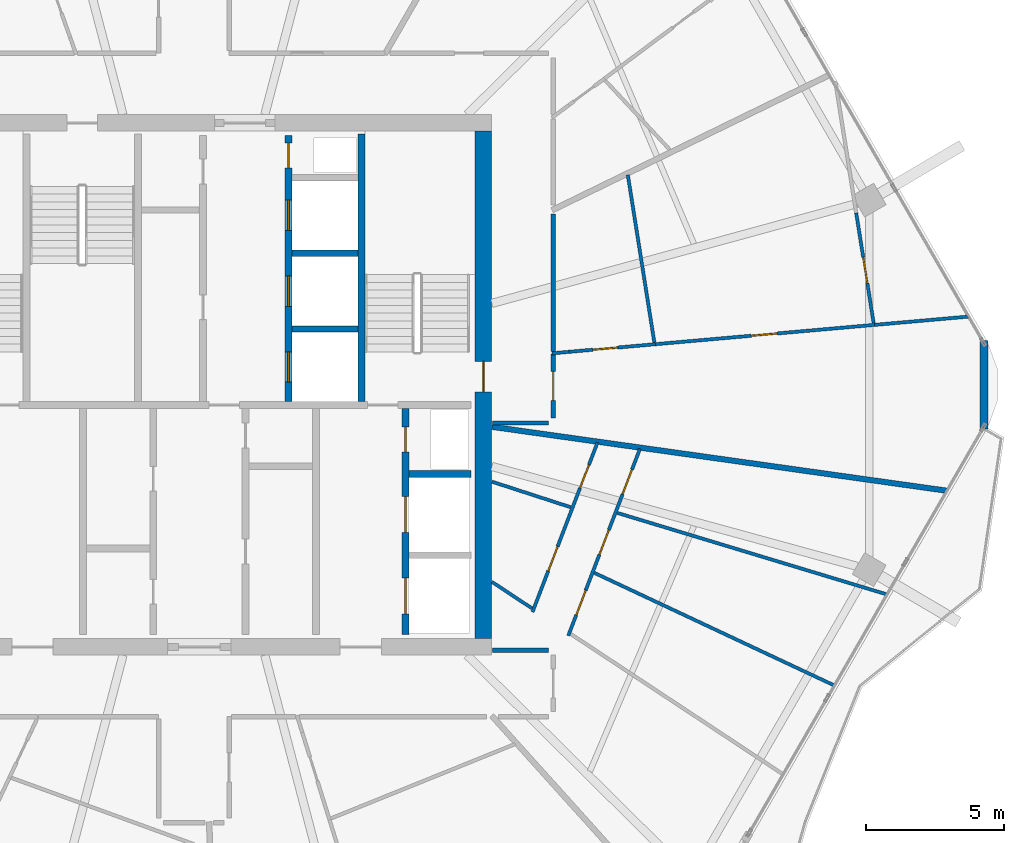
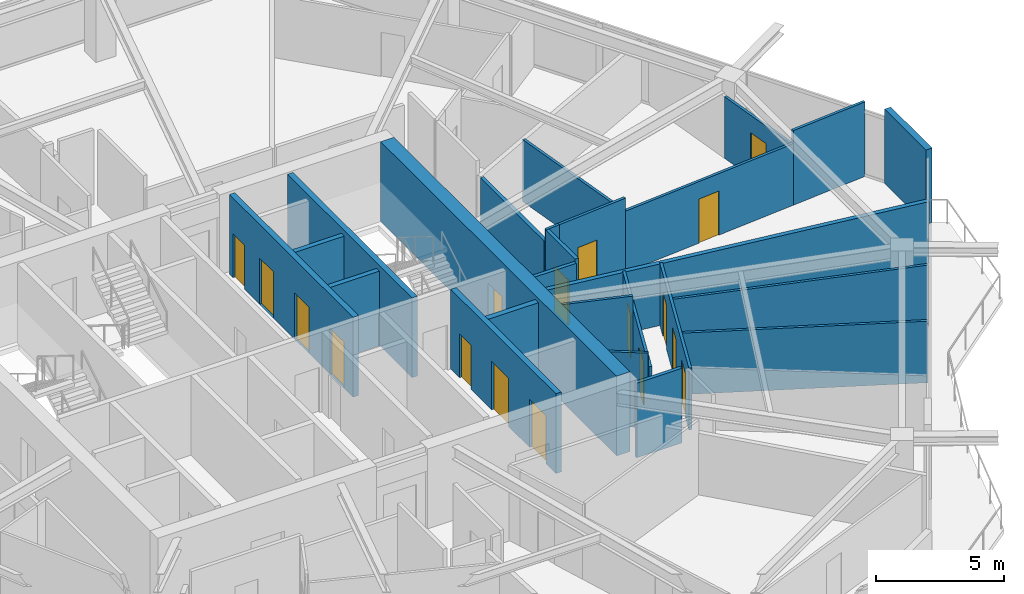
# One storey, part 20 of 25: 25 walls, 17 doors, 17 openings.
"""IFC4 building model written with IfcOpenShell, lengths in metres."""

from ifc_helpers import new_model, si_unit, direction, frame, frame_2d, origin, place, context, subcontext, project, spatial, rectangle, extrude, material, layer, layer_set, type_object, element, fill, save


model = new_model("IFC4")

# Units and contexts
model_context = context("Model", 3, precision=1e-05, world=origin(), true_north=direction((0.0, 1.0)))
body_context = subcontext(model_context, "Body", "Model", "MODEL_VIEW")
ifc_project = project(units=[si_unit("LENGTHUNIT", "METRE"), si_unit("AREAUNIT", "SQUARE_METRE"), si_unit("VOLUMEUNIT", "CUBIC_METRE"), si_unit("PLANEANGLEUNIT", "RADIAN"), si_unit("MASSUNIT", "GRAM", prefix="KILO")], contexts=[model_context])

# Site, building, storey
site_placement = place(None, origin())
site = spatial("IfcSite", under=ifc_project, at=site_placement, CompositionType="ELEMENT")
building_placement = place(site_placement, origin())
building = spatial("IfcBuilding", under=site, at=building_placement, Name="Zuhravey Tower", CompositionType="ELEMENT")
storey_placement = place(building_placement, frame((0.0, 0.0, 235.0)))
storey = spatial("IfcBuildingStorey", under=building, at=storey_placement, Name="L59", CompositionType="ELEMENT", Elevation=235.0)

# Wall, opening, door
ifc_material_1 = material(Name="Concrete C50/60", Category="concrete")
ifc_layer_1 = layer(ifc_material_1, 0.60009765625)
ifc_layer_set_1 = layer_set([ifc_layer_1], Name="Concrete C50/60")
wall_type_1 = type_object("IfcWallType", Name="Core Shear Wall 600", PredefinedType="SHEAR", material=ifc_layer_set_1)
wall_1_placement = place(storey_placement, frame((46.5, 22.800048828125, 0.0), z_axis=(0.0, 0.0, 1.0), x_axis=(0.0, 1.0, 0.0)))
wall_1 = element("IfcWall", 1, at=wall_1_placement, inside=storey, type_object=wall_type_1, Name="L59 East Core Shear Wall CW60", PredefinedType="SHEAR", context=body_context, shape_type="SweptSolid", body=[
    extrude(rectangle(XDim=18.39990234375, YDim=0.60009765625, at=frame_2d((9.199951171875, 0.0))), origin(), (0.0, 0.0, 1.0), 3.800048828125),
])
opening_1_placement = place(wall_1_placement, frame((8.949951171875, 0.0, 0.0)))
opening_1 = element("IfcOpeningElement", 2, at=opening_1_placement, cuts=wall_1, Name="Opening STD1", PredefinedType="OPENING", context=body_context, shape_type="SweptSolid", body=[
    extrude(rectangle(XDim=1.10009765625, YDim=2.14990234375, at=frame_2d((0.550048828125, 1.074951171875))), frame((0.0, 0.31201171875, 0.0), z_axis=(0.0, -1.0, 0.0), x_axis=(1.0, 0.0, 0.0)), (0.0, 0.0, 1.0), 0.6240234375),
])
ifc_material_2 = material(Name="Galvanised fire-rated steel leaf", Category="steel")
door_type_1 = type_object("IfcDoorType", Name="Protected Stair Fire Door 1100x2150", OperationType="NOTDEFINED", PredefinedType="USERDEFINED", material=ifc_material_2)
door_1_placement = place(opening_1_placement, origin())
door_1 = element("IfcDoor", 3, at=door_1_placement, inside=storey, type_object=door_type_1, Name="L59 Stair ST2 Door", ObjectType="EXITDOOR", OperationType="SINGLE_SWING_LEFT", OverallHeight=2.14990234375, OverallWidth=1.10009765625, PredefinedType="USERDEFINED", context=body_context, shape_type="SweptSolid", body=[
    extrude(rectangle(XDim=1.10009765625, YDim=2.14990234375, at=frame_2d((0.550048828125, 1.074951171875))), frame((0.0, 0.02490234375, 0.0), z_axis=(0.0, -1.0, 0.0), x_axis=(1.0, 0.0, 0.0)), (0.0, 0.0, 1.0), 0.050048828125),
])
fill(opening_1, door_1)

ifc_material_3 = material(Name="Gypsum fire-rated stud partition")
ifc_layer_2 = layer(ifc_material_3, 0.159912109375)
ifc_layer_set_2 = layer_set([ifc_layer_2], Name="Gypsum fire-rated stud partition")
wall_type_2 = type_object("IfcWallType", Name="Corridor Fire Partition 160", PredefinedType="PARTITIONING", material=ifc_layer_set_2)
wall_2_placement = place(storey_placement, frame((49.030029296875, 30.800048828125, 0.0), z_axis=(0.0, 0.0, 1.0), x_axis=(0.0, 1.0, 0.0)))
wall_2 = element("IfcWall", 4, at=wall_2_placement, inside=storey, type_object=wall_type_2, Name="L59 IW16 Partition 047", PredefinedType="PARTITIONING", context=body_context, shape_type="SweptSolid", body=[
    extrude(rectangle(XDim=2.3291015625, YDim=0.159912109375, at=frame_2d((1.16455078125, 0.0))), origin(), (0.0, 0.0, 1.0), 3.550048828125),
])
opening_2_placement = place(wall_2_placement, frame((0.6396484375, 0.0, 0.0)))
opening_2 = element("IfcOpeningElement", 5, at=opening_2_placement, cuts=wall_2, Name="Opening APD1", PredefinedType="OPENING", context=body_context, shape_type="SweptSolid", body=[
    extrude(rectangle(XDim=1.050048828125, YDim=2.14990234375, at=frame_2d((0.52490234375, 1.074951171875))), frame((0.0, 0.092041015625, 0.0), z_axis=(0.0, -1.0, 0.0), x_axis=(1.0, 0.0, 0.0)), (0.0, 0.0, 1.0), 0.183837890625),
])
ifc_material_4 = material(Name="Solid-core oak fire-rated leaf")
door_type_2 = type_object("IfcDoorType", Name="Apartment Entrance Fire Door 1050x2150", OperationType="NOTDEFINED", PredefinedType="DOOR", material=ifc_material_4)
door_2_placement = place(opening_2_placement, frame((1.050048828125, 0.0, 0.0), z_axis=(0.0, 0.0, 1.0), x_axis=(-1.0, 0.0, 0.0)))
door_2 = element("IfcDoor", 6, at=door_2_placement, inside=storey, type_object=door_type_2, Name="L59 Door 047.1", OperationType="SINGLE_SWING_LEFT", OverallHeight=2.14990234375, OverallWidth=1.050048828125, PredefinedType="DOOR", context=body_context, shape_type="SweptSolid", body=[
    extrude(rectangle(XDim=1.050048828125, YDim=2.14990234375, at=frame_2d((0.52490234375, 1.074951171875))), frame((0.0, 0.02490234375, 0.0), z_axis=(0.0, -1.0, 0.0), x_axis=(1.0, 0.0, 0.0)), (0.0, 0.0, 1.0), 0.050048828125),
])
fill(opening_2, door_2)

# Walls
wall_3_placement = place(storey_placement, frame((48.849365234375, 22.3798828125, 0.0), z_axis=(0.0, 0.0, 1.0), x_axis=(-1.0, 0.0, 0.0)))
element("IfcWall", 7, at=wall_3_placement, inside=storey, type_object=wall_type_2, Name="L59 IW16 Partition 108", PredefinedType="PARTITIONING", context=body_context, shape_type="SweptSolid", body=[
    extrude(rectangle(XDim=2.029296875, YDim=0.159912109375, at=frame_2d((1.0146484375, 0.0))), origin(), (0.0, 0.0, 1.0), 3.550048828125),
])
wall_4_placement = place(storey_placement, frame((46.820068359375, 30.6201171875, 0.0), z_axis=(0.0, 0.0, 1.0), x_axis=(1.0, 0.0, 0.0)))
element("IfcWall", 8, at=wall_4_placement, inside=storey, type_object=wall_type_2, Name="L59 IW16 Partition 110", PredefinedType="PARTITIONING", context=body_context, shape_type="SweptSolid", body=[
    extrude(rectangle(XDim=2.030029296875, YDim=0.159912109375, at=frame_2d((1.01513671875, 0.0))), origin(), (0.0, 0.0, 1.0), 3.550048828125),
])
wall_5_placement = place(storey_placement, frame((49.030029296875, 33.21728515625, 0.0), z_axis=(0.0, 0.0, 1.0), x_axis=(0.0, 1.0, 0.0)))
element("IfcWall", 9, at=wall_5_placement, inside=storey, type_object=wall_type_2, Name="L59 IW16 Partition 111", PredefinedType="PARTITIONING", context=body_context, shape_type="SweptSolid", body=[
    extrude(rectangle(XDim=4.9755859375, YDim=0.159912109375, at=frame_2d((2.48779296875, 0.0))), origin(), (0.0, 0.0, 1.0), 2.949951171875),
])
ifc_material_5 = material(Name="Precast concrete C40/50", Category="concrete")
ifc_layer_3 = layer(ifc_material_5, 0.280029296875)
ifc_layer_set_3 = layer_set([ifc_layer_3], Name="Precast concrete C40/50")
wall_type_3 = type_object("IfcWallType", Name="Crown Architectural Wall 280", PredefinedType="SOLIDWALL", material=ifc_layer_set_3)
wall_6_placement = place(storey_placement, frame((64.64501953125, 33.607421875, 0.0), z_axis=(0.0, 0.0, 1.0), x_axis=(0.0, -1.0, 0.0)))
element("IfcWall", 10, at=wall_6_placement, inside=storey, type_object=wall_type_3, Name="L59 Rounded Corner Closure Wall EW28-12", PredefinedType="SOLIDWALL", context=body_context, shape_type="SweptSolid", body=[
    extrude(rectangle(XDim=3.21484375, YDim=0.280029296875, at=frame_2d((1.607421875, 0.0))), origin(), (0.0, 0.0, 1.0), 3.550048828125),
])
ifc_layer_4 = layer(ifc_material_1, 0.25)
ifc_layer_set_4 = layer_set([ifc_layer_4], Name="Concrete C50/60")
wall_type_4 = type_object("IfcWallType", Name="Firefighting Shaft & Stair Wall 250", PredefinedType="SOLIDWALL", material=ifc_layer_set_4)
wall_7_placement = place(storey_placement, frame((42.074951171875, 31.39990234375, 0.0), z_axis=(0.0, 0.0, 1.0), x_axis=(0.0, 1.0, 0.0)))
element("IfcWall", 11, at=wall_7_placement, inside=storey, type_object=wall_type_4, Name="L59 FW25 Shaft Wall 006", PredefinedType="SOLIDWALL", context=body_context, shape_type="SweptSolid", body=[
    extrude(rectangle(XDim=9.7001953125, YDim=0.25, at=frame_2d((4.85009765625, 0.0))), origin(), (0.0, 0.0, 1.0), 3.800048828125),
])

# Wall, openings, doors
wall_8_placement = place(storey_placement, frame((39.425048828125, 31.39990234375, 0.0), z_axis=(0.0, 0.0, 1.0), x_axis=(0.0, 1.0, 0.0)))
wall_8 = element("IfcWall", 12, at=wall_8_placement, inside=storey, type_object=wall_type_4, Name="L59 FW25 Shaft Wall 008", PredefinedType="SOLIDWALL", context=body_context, shape_type="SweptSolid", body=[
    extrude(rectangle(XDim=9.650146484375, YDim=0.25, at=frame_2d((4.8251953125, 0.0))), origin(), (0.0, 0.0, 1.0), 3.800048828125),
])
opening_3_placement = place(wall_8_placement, frame((0.699951171875, 0.0, 0.0)))
opening_3 = element("IfcOpeningElement", 13, at=opening_3_placement, cuts=wall_8, Name="Opening LD1", PredefinedType="OPENING", context=body_context, shape_type="SweptSolid", body=[
    extrude(rectangle(XDim=1.10009765625, YDim=2.199951171875, at=frame_2d((0.550048828125, 1.10009765625))), frame((0.0, 0.136962890625, 0.0), z_axis=(0.0, -1.0, 0.0), x_axis=(1.0, 0.0, 0.0)), (0.0, 0.0, 1.0), 0.27392578125),
])
opening_4_placement = place(wall_8_placement, frame((3.449951171875, 0.0, 0.0)))
opening_4 = element("IfcOpeningElement", 14, at=opening_4_placement, cuts=wall_8, Name="Opening LD1", PredefinedType="OPENING", context=body_context, shape_type="SweptSolid", body=[
    extrude(rectangle(XDim=1.10009765625, YDim=2.199951171875, at=frame_2d((0.550048828125, 1.10009765625))), frame((0.0, 0.136962890625, 0.0), z_axis=(0.0, -1.0, 0.0), x_axis=(1.0, 0.0, 0.0)), (0.0, 0.0, 1.0), 0.27392578125),
])
opening_5_placement = place(wall_8_placement, frame((6.199951171875, 0.0, 0.0)))
opening_5 = element("IfcOpeningElement", 15, at=opening_5_placement, cuts=wall_8, Name="Opening LD1", PredefinedType="OPENING", context=body_context, shape_type="SweptSolid", body=[
    extrude(rectangle(XDim=1.10009765625, YDim=2.199951171875, at=frame_2d((0.550048828125, 1.10009765625))), frame((0.0, 0.136962890625, 0.0), z_axis=(0.0, -1.0, 0.0), x_axis=(1.0, 0.0, 0.0)), (0.0, 0.0, 1.0), 0.27392578125),
])
opening_6_placement = place(wall_8_placement, frame((8.469970703125, 0.0, 0.0)))
opening_6 = element("IfcOpeningElement", 16, at=opening_6_placement, cuts=wall_8, Name="Opening RSD1", PredefinedType="OPENING", context=body_context, shape_type="SweptSolid", body=[
    extrude(rectangle(XDim=0.89990234375, YDim=2.10009765625, at=frame_2d((0.449951171875, 1.050048828125))), frame((0.0, 0.136962890625, 0.0), z_axis=(0.0, -1.0, 0.0), x_axis=(1.0, 0.0, 0.0)), (0.0, 0.0, 1.0), 0.27392578125),
])
ifc_material_6 = material(Name="Brushed stainless steel", Category="steel")
door_type_3 = type_object("IfcDoorType", Name="Lift Landing Sliding Door 1100x2200", OperationType="DOUBLE_DOOR_SLIDING", PredefinedType="DOOR", material=ifc_material_6)
door_3_placement = place(opening_3_placement, origin())
door_3 = element("IfcDoor", 17, at=door_3_placement, inside=storey, type_object=door_type_3, Name="L59 Lift PL7 Landing Door", OperationType="DOUBLE_DOOR_SLIDING", OverallHeight=2.199951171875, OverallWidth=1.10009765625, PredefinedType="DOOR", context=body_context, shape_type="SweptSolid", body=[
    extrude(rectangle(XDim=1.10009765625, YDim=2.199951171875, at=frame_2d((0.550048828125, 1.10009765625))), frame((0.0, 0.02490234375, 0.0), z_axis=(0.0, -1.0, 0.0), x_axis=(1.0, 0.0, 0.0)), (0.0, 0.0, 1.0), 0.050048828125),
])
fill(opening_3, door_3)
door_4_placement = place(opening_4_placement, origin())
door_4 = element("IfcDoor", 18, at=door_4_placement, inside=storey, type_object=door_type_3, Name="L59 Lift PL8 Landing Door", OperationType="DOUBLE_DOOR_SLIDING", OverallHeight=2.199951171875, OverallWidth=1.10009765625, PredefinedType="DOOR", context=body_context, shape_type="SweptSolid", body=[
    extrude(rectangle(XDim=1.10009765625, YDim=2.199951171875, at=frame_2d((0.550048828125, 1.10009765625))), frame((0.0, 0.02490234375, 0.0), z_axis=(0.0, -1.0, 0.0), x_axis=(1.0, 0.0, 0.0)), (0.0, 0.0, 1.0), 0.050048828125),
])
fill(opening_4, door_4)
door_5_placement = place(opening_5_placement, origin())
door_5 = element("IfcDoor", 19, at=door_5_placement, inside=storey, type_object=door_type_3, Name="L59 Lift PL9 Landing Door", OperationType="DOUBLE_DOOR_SLIDING", OverallHeight=2.199951171875, OverallWidth=1.10009765625, PredefinedType="DOOR", context=body_context, shape_type="SweptSolid", body=[
    extrude(rectangle(XDim=1.10009765625, YDim=2.199951171875, at=frame_2d((0.550048828125, 1.10009765625))), frame((0.0, 0.02490234375, 0.0), z_axis=(0.0, -1.0, 0.0), x_axis=(1.0, 0.0, 0.0)), (0.0, 0.0, 1.0), 0.050048828125),
])
fill(opening_5, door_5)
ifc_material_7 = material(Name="Galvanised fire-rated steel access leaf", Category="steel")
door_type_4 = type_object("IfcDoorType", Name="Riser & Shaft Access Fire Door 900x2100", OperationType="NOTDEFINED", PredefinedType="DOOR", material=ifc_material_7)
door_6_placement = place(opening_6_placement, origin())
door_6 = element("IfcDoor", 20, at=door_6_placement, inside=storey, type_object=door_type_4, Name="L59 North Riser Door", OperationType="SINGLE_SWING_RIGHT", OverallHeight=2.10009765625, OverallWidth=0.89990234375, PredefinedType="DOOR", context=body_context, shape_type="SweptSolid", body=[
    extrude(rectangle(XDim=0.89990234375, YDim=2.10009765625, at=frame_2d((0.449951171875, 1.050048828125))), frame((0.0, 0.02490234375, 0.0), z_axis=(0.0, -1.0, 0.0), x_axis=(1.0, 0.0, 0.0)), (0.0, 0.0, 1.0), 0.050048828125),
])
fill(opening_6, door_6)

# Wall
wall_9_placement = place(storey_placement, frame((43.800048828125, 28.77490234375, 0.0), z_axis=(0.0, 0.0, 1.0), x_axis=(1.0, 0.0, 0.0)))
element("IfcWall", 21, at=wall_9_placement, inside=storey, type_object=wall_type_4, Name="L59 FW25 Shaft Wall 019", PredefinedType="SOLIDWALL", context=body_context, shape_type="SweptSolid", body=[
    extrude(rectangle(XDim=2.25, YDim=0.25, at=frame_2d((1.125, 0.0))), origin(), (0.0, 0.0, 1.0), 3.800048828125),
])

# Wall, openings, doors
wall_10_placement = place(storey_placement, frame((43.675048828125, 22.949951171875, 0.0), z_axis=(0.0, 0.0, 1.0), x_axis=(0.0, 1.0, 0.0)))
wall_10 = element("IfcWall", 22, at=wall_10_placement, inside=storey, type_object=wall_type_4, Name="L59 FW25 Shaft Wall 020", PredefinedType="SOLIDWALL", context=body_context, shape_type="SweptSolid", body=[
    extrude(rectangle(XDim=8.199951171875, YDim=0.25, at=frame_2d((4.10009765625, 0.0))), origin(), (0.0, 0.0, 1.0), 3.800048828125),
])
opening_7_placement = place(wall_10_placement, frame((0.75, 0.0, 0.0)))
opening_7 = element("IfcOpeningElement", 23, at=opening_7_placement, cuts=wall_10, Name="Opening LD2", PredefinedType="OPENING", context=body_context, shape_type="SweptSolid", body=[
    extrude(rectangle(XDim=1.300048828125, YDim=2.300048828125, at=frame_2d((0.64990234375, 1.14990234375))), frame((0.0, 0.136962890625, 0.0), z_axis=(0.0, -1.0, 0.0), x_axis=(1.0, 0.0, 0.0)), (0.0, 0.0, 1.0), 0.27392578125),
])
opening_8_placement = place(wall_10_placement, frame((3.699951171875, 0.0, 0.0)))
opening_8 = element("IfcOpeningElement", 24, at=opening_8_placement, cuts=wall_10, Name="Opening LD2", PredefinedType="OPENING", context=body_context, shape_type="SweptSolid", body=[
    extrude(rectangle(XDim=1.300048828125, YDim=2.300048828125, at=frame_2d((0.64990234375, 1.14990234375))), frame((0.0, 0.136962890625, 0.0), z_axis=(0.0, -1.0, 0.0), x_axis=(1.0, 0.0, 0.0)), (0.0, 0.0, 1.0), 0.27392578125),
])
opening_9_placement = place(wall_10_placement, frame((6.6201171875, 0.0, 0.0)))
opening_9 = element("IfcOpeningElement", 25, at=opening_9_placement, cuts=wall_10, Name="Opening RSD1", PredefinedType="OPENING", context=body_context, shape_type="SweptSolid", body=[
    extrude(rectangle(XDim=0.89990234375, YDim=2.10009765625, at=frame_2d((0.449951171875, 1.050048828125))), frame((0.0, 0.136962890625, 0.0), z_axis=(0.0, -1.0, 0.0), x_axis=(1.0, 0.0, 0.0)), (0.0, 0.0, 1.0), 0.27392578125),
])
door_type_5 = type_object("IfcDoorType", Name="Freight & Stretcher Lift Sliding Door 1300x2300", OperationType="DOUBLE_DOOR_SLIDING", PredefinedType="DOOR", material=ifc_material_6)
door_7_placement = place(opening_7_placement, origin())
door_7 = element("IfcDoor", 26, at=door_7_placement, inside=storey, type_object=door_type_5, Name="L59 Lift FF2 Landing Door", OperationType="DOUBLE_DOOR_SLIDING", OverallHeight=2.300048828125, OverallWidth=1.300048828125, PredefinedType="DOOR", context=body_context, shape_type="SweptSolid", body=[
    extrude(rectangle(XDim=1.300048828125, YDim=2.300048828125, at=frame_2d((0.64990234375, 1.14990234375))), frame((0.0, 0.02490234375, 0.0), z_axis=(0.0, -1.0, 0.0), x_axis=(1.0, 0.0, 0.0)), (0.0, 0.0, 1.0), 0.050048828125),
])
fill(opening_7, door_7)
door_8_placement = place(opening_8_placement, origin())
door_8 = element("IfcDoor", 27, at=door_8_placement, inside=storey, type_object=door_type_5, Name="L59 Lift SV1 Landing Door", OperationType="DOUBLE_DOOR_SLIDING", OverallHeight=2.300048828125, OverallWidth=1.300048828125, PredefinedType="DOOR", context=body_context, shape_type="SweptSolid", body=[
    extrude(rectangle(XDim=1.300048828125, YDim=2.300048828125, at=frame_2d((0.64990234375, 1.14990234375))), frame((0.0, 0.02490234375, 0.0), z_axis=(0.0, -1.0, 0.0), x_axis=(1.0, 0.0, 0.0)), (0.0, 0.0, 1.0), 0.050048828125),
])
fill(opening_8, door_8)
door_9_placement = place(opening_9_placement, origin())
door_9 = element("IfcDoor", 28, at=door_9_placement, inside=storey, type_object=door_type_4, Name="L59 Plumbing Riser Door", OperationType="SINGLE_SWING_LEFT", OverallHeight=2.10009765625, OverallWidth=0.89990234375, PredefinedType="DOOR", context=body_context, shape_type="SweptSolid", body=[
    extrude(rectangle(XDim=0.89990234375, YDim=2.10009765625, at=frame_2d((0.449951171875, 1.050048828125))), frame((0.0, 0.02490234375, 0.0), z_axis=(0.0, -1.0, 0.0), x_axis=(1.0, 0.0, 0.0)), (0.0, 0.0, 1.0), 0.050048828125),
])
fill(opening_9, door_9)

# Walls
ifc_material_8 = material(Name="Gypsum double-stud party assembly")
ifc_layer_5 = layer(ifc_material_8, 0.199951171875)
ifc_layer_set_5 = layer_set([ifc_layer_5], Name="Gypsum double-stud party assembly")
wall_type_5 = type_object("IfcWallType", Name="Inter-Tenancy Party Wall 200", PredefinedType="PARTITIONING", material=ifc_layer_set_5)
wall_11_placement = place(storey_placement, frame((46.80810546875, 30.481201171875, 0.0), z_axis=(0.0, 0.0, 1.0), x_axis=(0.990266776737, -0.139182293739, 0.0)))
element("IfcWall", 29, at=wall_11_placement, inside=storey, type_object=wall_type_5, Name="L59 IW20 Partition 085", PredefinedType="PARTITIONING", context=body_context, shape_type="SweptSolid", body=[
    extrude(rectangle(XDim=16.656982421875, YDim=0.199951171875, at=frame_2d((8.32861328125, 0.0))), origin(), (0.0, 0.0, 1.0), 2.929931640625),
])
ifc_material_9 = material(Name="Gypsum acoustic stud assembly")
ifc_layer_6 = layer(ifc_material_9, 0.219970703125)
ifc_layer_set_6 = layer_set([ifc_layer_6], Name="Gypsum acoustic stud assembly")
wall_type_6 = type_object("IfcWallType", Name="School Acoustic Compartment Wall 220", PredefinedType="PARTITIONING", material=ifc_layer_set_6)
for number, where, z_axis, x_axis, name in (
    (30, (39.55810546875, 34.02490234375, 0.0), (0.0, 0.0, 1.0), (1.0, 0.0, 0.0), "L59 IW22 Partition 055"),
    (31, (39.55810546875, 36.77490234375, 0.0), (0.0, 0.0, 1.0), (1.0, 0.0, 0.0), "L59 IW22 Partition 056"),
):
    element("IfcWall", number, at=place(storey_placement, frame(where, z_axis=z_axis, x_axis=x_axis)), inside=storey, type_object=wall_type_6, Name=name, PredefinedType="PARTITIONING", context=body_context, shape_type="SweptSolid", body=[
        extrude(rectangle(XDim=2.3837890625, YDim=0.219970703125, at=frame_2d((1.19189453125, 0.0))), origin(), (0.0, 0.0, 1.0), 3.550048828125),
    ])

# Wall, openings, doors
ifc_material_10 = material(Name="Gypsum metal-stud partition")
ifc_layer_7 = layer(ifc_material_10, 0.1201171875)
ifc_layer_set_7 = layer_set([ifc_layer_7], Name="Gypsum metal-stud partition")
wall_type_7 = type_object("IfcWallType", Name="Unit Internal Partition 120", PredefinedType="PARTITIONING", material=ifc_layer_set_7)
wall_12_placement = place(storey_placement, frame((48.27783203125, 23.76611328125, 0.0), z_axis=(0.0, 0.0, 1.0), x_axis=(0.358042156754, 0.933705421419, 0.0)))
wall_12 = element("IfcWall", 32, at=wall_12_placement, inside=storey, type_object=wall_type_7, Name="L59 IW12 Partition 041", PredefinedType="PARTITIONING", context=body_context, shape_type="SweptSolid", body=[
    extrude(rectangle(XDim=6.584228515625, YDim=0.1201171875, at=frame_2d((3.2919921875, 0.0))), origin(), (0.0, 0.0, 1.0), 2.949951171875),
])
opening_10_placement = place(wall_12_placement, frame((1.599365234375, 0.0, 0.0)))
opening_10 = element("IfcOpeningElement", 33, at=opening_10_placement, cuts=wall_12, Name="Opening IND1", PredefinedType="OPENING", context=body_context, shape_type="SweptSolid", body=[
    extrude(rectangle(XDim=0.949951171875, YDim=2.10009765625, at=frame_2d((0.47509765625, 1.050048828125))), frame((0.0, 0.072021484375, 0.0), z_axis=(0.0, -1.0, 0.0), x_axis=(1.0, 0.0, 0.0)), (0.0, 0.0, 1.0), 0.14404296875),
])
opening_11_placement = place(wall_12_placement, frame((4.81396484375, 0.0, 0.0)))
opening_11 = element("IfcOpeningElement", 34, at=opening_11_placement, cuts=wall_12, Name="Opening WCD1", PredefinedType="OPENING", context=body_context, shape_type="SweptSolid", body=[
    extrude(rectangle(XDim=0.89990234375, YDim=2.10009765625, at=frame_2d((0.449951171875, 1.050048828125))), frame((0.0, 0.072021484375, 0.0), z_axis=(0.0, -1.0, 0.0), x_axis=(1.0, 0.0, 0.0)), (0.0, 0.0, 1.0), 0.14404296875),
])
ifc_material_11 = material(Name="Moisture-resistant timber leaf", Category="wood")
door_type_6 = type_object("IfcDoorType", Name="Bathroom & WC Internal Door 900x2100", OperationType="NOTDEFINED", PredefinedType="DOOR", material=ifc_material_11)
door_10_placement = place(opening_11_placement, origin())
door_10 = element("IfcDoor", 35, at=door_10_placement, inside=storey, type_object=door_type_6, Name="Apartment L59-06 Bathroom Door", OperationType="SINGLE_SWING_LEFT", OverallHeight=2.10009765625, OverallWidth=0.89990234375, PredefinedType="DOOR", context=body_context, shape_type="SweptSolid", body=[
    extrude(rectangle(XDim=0.89990234375, YDim=2.10009765625, at=frame_2d((0.449951171875, 1.050048828125))), frame((0.0, 0.02490234375, 0.0), z_axis=(0.0, -1.0, 0.0), x_axis=(1.0, 0.0, 0.0)), (0.0, 0.0, 1.0), 0.050048828125),
])
fill(opening_11, door_10)
ifc_material_12 = material(Name="Painted engineered timber leaf", Category="wood")
door_type_7 = type_object("IfcDoorType", Name="Internal Room & Bedroom Door 950x2100", OperationType="NOTDEFINED", PredefinedType="DOOR", material=ifc_material_12)
door_11_placement = place(opening_10_placement, origin())
door_11 = element("IfcDoor", 36, at=door_11_placement, inside=storey, type_object=door_type_7, Name="Apartment L59-06 Kitchen Door", OperationType="SINGLE_SWING_RIGHT", OverallHeight=2.10009765625, OverallWidth=0.949951171875, PredefinedType="DOOR", context=body_context, shape_type="SweptSolid", body=[
    extrude(rectangle(XDim=0.949951171875, YDim=2.10009765625, at=frame_2d((0.47509765625, 1.050048828125))), frame((0.0, 0.02490234375, 0.0), z_axis=(0.0, -1.0, 0.0), x_axis=(1.0, 0.0, 0.0)), (0.0, 0.0, 1.0), 0.050048828125),
])
fill(opening_10, door_11)

wall_13_placement = place(storey_placement, frame((49.576416015625, 22.90771484375, 0.0), z_axis=(0.0, 0.0, 1.0), x_axis=(0.358041112014, 0.933705822038, 0.0)))
wall_13 = element("IfcWall", 37, at=wall_13_placement, inside=storey, type_object=wall_type_7, Name="L59 IW12 Partition 042", PredefinedType="PARTITIONING", context=body_context, shape_type="SweptSolid", body=[
    extrude(rectangle(XDim=7.25732421875, YDim=0.1201171875, at=frame_2d((3.628662109375, 0.0))), origin(), (0.0, 0.0, 1.0), 2.949951171875),
])
opening_12_placement = place(wall_13_placement, frame((0.809814453125, 0.0, 0.0)))
opening_12 = element("IfcOpeningElement", 38, at=opening_12_placement, cuts=wall_13, Name="Opening IND1", PredefinedType="OPENING", context=body_context, shape_type="SweptSolid", body=[
    extrude(rectangle(XDim=0.949951171875, YDim=2.10009765625, at=frame_2d((0.47509765625, 1.050048828125))), frame((0.0, 0.072021484375, 0.0), z_axis=(0.0, -1.0, 0.0), x_axis=(1.0, 0.0, 0.0)), (0.0, 0.0, 1.0), 0.14404296875),
])
opening_13_placement = place(wall_13_placement, frame((3.15380859375, 0.0, 0.0)))
opening_13 = element("IfcOpeningElement", 39, at=opening_13_placement, cuts=wall_13, Name="Opening IND1", PredefinedType="OPENING", context=body_context, shape_type="SweptSolid", body=[
    extrude(rectangle(XDim=0.949951171875, YDim=2.10009765625, at=frame_2d((0.47509765625, 1.050048828125))), frame((0.0, 0.072021484375, 0.0), z_axis=(0.0, -1.0, 0.0), x_axis=(1.0, 0.0, 0.0)), (0.0, 0.0, 1.0), 0.14404296875),
])
opening_14_placement = place(wall_13_placement, frame((5.497314453125, 0.0, 0.0)))
opening_14 = element("IfcOpeningElement", 40, at=opening_14_placement, cuts=wall_13, Name="Opening IND1", PredefinedType="OPENING", context=body_context, shape_type="SweptSolid", body=[
    extrude(rectangle(XDim=0.949951171875, YDim=2.10009765625, at=frame_2d((0.47509765625, 1.050048828125))), frame((0.0, 0.072021484375, 0.0), z_axis=(0.0, -1.0, 0.0), x_axis=(1.0, 0.0, 0.0)), (0.0, 0.0, 1.0), 0.14404296875),
])
door_12_placement = place(opening_12_placement, frame((0.949951171875, 0.0, 0.0), z_axis=(0.0, 0.0, 1.0), x_axis=(-1.0, 0.0, 0.0)))
door_12 = element("IfcDoor", 41, at=door_12_placement, inside=storey, type_object=door_type_7, Name="Apartment L59-06 Bedroom 1 Door", OperationType="SINGLE_SWING_RIGHT", OverallHeight=2.10009765625, OverallWidth=0.949951171875, PredefinedType="DOOR", context=body_context, shape_type="SweptSolid", body=[
    extrude(rectangle(XDim=0.949951171875, YDim=2.10009765625, at=frame_2d((0.47509765625, 1.050048828125))), frame((0.0, 0.02490234375, 0.0), z_axis=(0.0, -1.0, 0.0), x_axis=(1.0, 0.0, 0.0)), (0.0, 0.0, 1.0), 0.050048828125),
])
fill(opening_12, door_12)
door_13_placement = place(opening_13_placement, frame((0.949951171875, 0.0, 0.0), z_axis=(0.0, 0.0, 1.0), x_axis=(-1.0, 0.0, 0.0)))
door_13 = element("IfcDoor", 42, at=door_13_placement, inside=storey, type_object=door_type_7, Name="Apartment L59-06 Bedroom 2 Door", OperationType="SINGLE_SWING_LEFT", OverallHeight=2.10009765625, OverallWidth=0.949951171875, PredefinedType="DOOR", context=body_context, shape_type="SweptSolid", body=[
    extrude(rectangle(XDim=0.949951171875, YDim=2.10009765625, at=frame_2d((0.47509765625, 1.050048828125))), frame((0.0, 0.02490234375, 0.0), z_axis=(0.0, -1.0, 0.0), x_axis=(1.0, 0.0, 0.0)), (0.0, 0.0, 1.0), 0.050048828125),
])
fill(opening_13, door_13)
door_14_placement = place(opening_14_placement, frame((0.949951171875, 0.0, 0.0), z_axis=(0.0, 0.0, 1.0), x_axis=(-1.0, 0.0, 0.0)))
door_14 = element("IfcDoor", 43, at=door_14_placement, inside=storey, type_object=door_type_7, Name="Apartment L59-06 Bedroom 3 Door", OperationType="SINGLE_SWING_RIGHT", OverallHeight=2.10009765625, OverallWidth=0.949951171875, PredefinedType="DOOR", context=body_context, shape_type="SweptSolid", body=[
    extrude(rectangle(XDim=0.949951171875, YDim=2.10009765625, at=frame_2d((0.47509765625, 1.050048828125))), frame((0.0, 0.02490234375, 0.0), z_axis=(0.0, -1.0, 0.0), x_axis=(1.0, 0.0, 0.0)), (0.0, 0.0, 1.0), 0.050048828125),
])
fill(opening_14, door_14)

# Wall, opening, door
wall_14_placement = place(storey_placement, frame((49.60009765625, 33.199462890625, 0.0), z_axis=(0.0, 0.0, 1.0), x_axis=(0.996134648453, 0.087839411149, 0.0)))
wall_14 = element("IfcWall", 44, at=wall_14_placement, inside=storey, type_object=wall_type_7, Name="L59 IW12 Partition 044", PredefinedType="PARTITIONING", context=body_context, shape_type="SweptSolid", body=[
    extrude(rectangle(XDim=3.1435546875, YDim=0.1201171875, at=frame_2d((1.57177734375, 0.0))), origin(), (0.0, 0.0, 1.0), 3.550048828125),
])
opening_15_placement = place(wall_14_placement, frame((0.870361328125, 0.0, 0.0)))
opening_15 = element("IfcOpeningElement", 45, at=opening_15_placement, cuts=wall_14, Name="Opening WCD1", PredefinedType="OPENING", context=body_context, shape_type="SweptSolid", body=[
    extrude(rectangle(XDim=0.89990234375, YDim=2.10009765625, at=frame_2d((0.449951171875, 1.050048828125))), frame((0.0, 0.072021484375, 0.0), z_axis=(0.0, -1.0, 0.0), x_axis=(1.0, 0.0, 0.0)), (0.0, 0.0, 1.0), 0.14404296875),
])
door_15_placement = place(opening_15_placement, origin())
door_15 = element("IfcDoor", 46, at=door_15_placement, inside=storey, type_object=door_type_6, Name="Apartment L59-07 Bathroom Door", OperationType="SINGLE_SWING_RIGHT", OverallHeight=2.10009765625, OverallWidth=0.89990234375, PredefinedType="DOOR", context=body_context, shape_type="SweptSolid", body=[
    extrude(rectangle(XDim=0.89990234375, YDim=2.10009765625, at=frame_2d((0.449951171875, 1.050048828125))), frame((0.0, 0.02490234375, 0.0), z_axis=(0.0, -1.0, 0.0), x_axis=(1.0, 0.0, 0.0)), (0.0, 0.0, 1.0), 0.050048828125),
])
fill(opening_15, door_15)

wall_15_placement = place(storey_placement, frame((52.7314453125, 33.4755859375, 0.0), z_axis=(0.0, 0.0, 1.0), x_axis=(0.996132054935, 0.087868817741, 0.0)))
wall_15 = element("IfcWall", 47, at=wall_15_placement, inside=storey, type_object=wall_type_7, Name="L59 IW12 Partition 045", PredefinedType="PARTITIONING", context=body_context, shape_type="SweptSolid", body=[
    extrude(rectangle(XDim=7.982421875, YDim=0.1201171875, at=frame_2d((3.9912109375, 0.0))), origin(), (0.0, 0.0, 1.0), 2.929931640625),
])
opening_16_placement = place(wall_15_placement, frame((3.4912109375, 0.0, 0.0)))
opening_16 = element("IfcOpeningElement", 48, at=opening_16_placement, cuts=wall_15, Name="Opening IND1", PredefinedType="OPENING", context=body_context, shape_type="SweptSolid", body=[
    extrude(rectangle(XDim=0.949951171875, YDim=2.10009765625, at=frame_2d((0.47509765625, 1.050048828125))), frame((0.0, 0.072021484375, 0.0), z_axis=(0.0, -1.0, 0.0), x_axis=(1.0, 0.0, 0.0)), (0.0, 0.0, 1.0), 0.14404296875),
])
door_16_placement = place(opening_16_placement, origin())
door_16 = element("IfcDoor", 49, at=door_16_placement, inside=storey, type_object=door_type_7, Name="Apartment L59-07 Home Office Door", OperationType="SINGLE_SWING_LEFT", OverallHeight=2.10009765625, OverallWidth=0.949951171875, PredefinedType="DOOR", context=body_context, shape_type="SweptSolid", body=[
    extrude(rectangle(XDim=0.949951171875, YDim=2.10009765625, at=frame_2d((0.47509765625, 1.050048828125))), frame((0.0, 0.02490234375, 0.0), z_axis=(0.0, -1.0, 0.0), x_axis=(1.0, 0.0, 0.0)), (0.0, 0.0, 1.0), 0.050048828125),
])
fill(opening_16, door_16)

wall_16_placement = place(storey_placement, frame((60.647705078125, 34.241943359375, 0.0), z_axis=(0.0, 0.0, 1.0), x_axis=(-0.156452472951, 0.987685488254, 0.0)))
wall_16 = element("IfcWall", 50, at=wall_16_placement, inside=storey, type_object=wall_type_7, Name="L59 IW12 Partition 046", PredefinedType="PARTITIONING", context=body_context, shape_type="SweptSolid", body=[
    extrude(rectangle(XDim=4.043212890625, YDim=0.1201171875, at=frame_2d((2.021484375, 0.0))), origin(), (0.0, 0.0, 1.0), 2.929931640625),
])
opening_17_placement = place(wall_16_placement, frame((1.46240234375, 0.0, 0.0)))
opening_17 = element("IfcOpeningElement", 51, at=opening_17_placement, cuts=wall_16, Name="Opening IND1", PredefinedType="OPENING", context=body_context, shape_type="SweptSolid", body=[
    extrude(rectangle(XDim=0.949951171875, YDim=2.10009765625, at=frame_2d((0.47509765625, 1.050048828125))), frame((0.0, 0.072021484375, 0.0), z_axis=(0.0, -1.0, 0.0), x_axis=(1.0, 0.0, 0.0)), (0.0, 0.0, 1.0), 0.14404296875),
])
door_17_placement = place(opening_17_placement, frame((0.949951171875, 0.0, 0.0), z_axis=(0.0, 0.0, 1.0), x_axis=(-1.0, 0.0, 0.0)))
door_17 = element("IfcDoor", 52, at=door_17_placement, inside=storey, type_object=door_type_7, Name="Apartment L59-07 Bedroom 1 Door", OperationType="SINGLE_SWING_RIGHT", OverallHeight=2.10009765625, OverallWidth=0.949951171875, PredefinedType="DOOR", context=body_context, shape_type="SweptSolid", body=[
    extrude(rectangle(XDim=0.949951171875, YDim=2.10009765625, at=frame_2d((0.47509765625, 1.050048828125))), frame((0.0, 0.02490234375, 0.0), z_axis=(0.0, -1.0, 0.0), x_axis=(1.0, 0.0, 0.0)), (0.0, 0.0, 1.0), 0.050048828125),
])
fill(opening_17, door_17)

# Walls
wall_17_placement = place(storey_placement, frame((46.80810546875, 28.491455078125, 0.0), z_axis=(0.0, 0.0, 1.0), x_axis=(0.951120145706, -0.308821094538, 0.0)))
element("IfcWall", 53, at=wall_17_placement, inside=storey, type_object=wall_type_7, Name="L59 IW12 Partition 080", PredefinedType="PARTITIONING", context=body_context, shape_type="SweptSolid", body=[
    extrude(rectangle(XDim=3.000244140625, YDim=0.1201171875, at=frame_2d((1.5, 0.0))), origin(), (0.0, 0.0, 1.0), 3.550048828125),
])
wall_18_placement = place(storey_placement, frame((50.5224609375, 25.184814453125, 0.0), z_axis=(0.0, 0.0, 1.0), x_axis=(0.905267210554, -0.424842650278, 0.0)))
element("IfcWall", 54, at=wall_18_placement, inside=storey, type_object=wall_type_7, Name="L59 IW12 Partition 081", PredefinedType="PARTITIONING", context=body_context, shape_type="SweptSolid", body=[
    extrude(rectangle(XDim=9.623779296875, YDim=0.1201171875, at=frame_2d((4.81201171875, 0.0))), origin(), (0.0, 0.0, 1.0), 2.929931640625),
])
wall_19_placement = place(storey_placement, frame((51.35595703125, 27.35791015625, 0.0), z_axis=(0.0, 0.0, 1.0), x_axis=(0.957218811374, -0.289365075903, 0.0)))
element("IfcWall", 55, at=wall_19_placement, inside=storey, type_object=wall_type_7, Name="L59 IW12 Partition 082", PredefinedType="PARTITIONING", context=body_context, shape_type="SweptSolid", body=[
    extrude(rectangle(XDim=10.22314453125, YDim=0.1201171875, at=frame_2d((5.111572265625, 0.0))), origin(), (0.0, 0.0, 1.0), 2.929931640625),
])
wall_20_placement = place(storey_placement, frame((46.80810546875, 24.857177734375, 0.0), z_axis=(0.0, 0.0, 1.0), x_axis=(0.834229042932, -0.551418084514, 0.0)))
element("IfcWall", 56, at=wall_20_placement, inside=storey, type_object=wall_type_7, Name="L59 IW12 Partition 083", PredefinedType="PARTITIONING", context=body_context, shape_type="SweptSolid", body=[
    extrude(rectangle(XDim=1.736083984375, YDim=0.1201171875, at=frame_2d((0.8681640625, 0.0))), origin(), (0.0, 0.0, 1.0), 3.550048828125),
])
wall_21_placement = place(storey_placement, frame((48.985107421875, 33.145263671875, 0.0), z_axis=(0.0, 0.0, 1.0), x_axis=(0.99613900955, 0.0877899405, 0.0)))
element("IfcWall", 57, at=wall_21_placement, inside=storey, type_object=wall_type_7, Name="L59 IW12 Partition 086", PredefinedType="PARTITIONING", context=body_context, shape_type="SweptSolid", body=[
    extrude(rectangle(XDim=0.617431640625, YDim=0.1201171875, at=frame_2d((0.30859375, 0.0))), origin(), (0.0, 0.0, 1.0), 3.550048828125),
])
wall_22_placement = place(storey_placement, frame((60.68310546875, 34.177001953125, 0.0), z_axis=(0.0, 0.0, 1.0), x_axis=(0.996140317526, 0.087775097826, 0.0)))
element("IfcWall", 58, at=wall_22_placement, inside=storey, type_object=wall_type_7, Name="L59 IW12 Partition 087", PredefinedType="PARTITIONING", context=body_context, shape_type="SweptSolid", body=[
    extrude(rectangle(XDim=3.421142578125, YDim=0.1201171875, at=frame_2d((1.71044921875, 0.0))), origin(), (0.0, 0.0, 1.0), 3.550048828125),
])
wall_23_placement = place(storey_placement, frame((52.69580078125, 33.540771484375, 0.0), z_axis=(0.0, 0.0, 1.0), x_axis=(-0.156398775455, 0.987693992609, 0.0)))
element("IfcWall", 59, at=wall_23_placement, inside=storey, type_object=wall_type_7, Name="L59 IW12 Partition 088", PredefinedType="PARTITIONING", context=body_context, shape_type="SweptSolid", body=[
    extrude(rectangle(XDim=6.150390625, YDim=0.1201171875, at=frame_2d((3.0751953125, 0.0))), origin(), (0.0, 0.0, 1.0), 2.949951171875),
])

save(model, "model.ifc")
